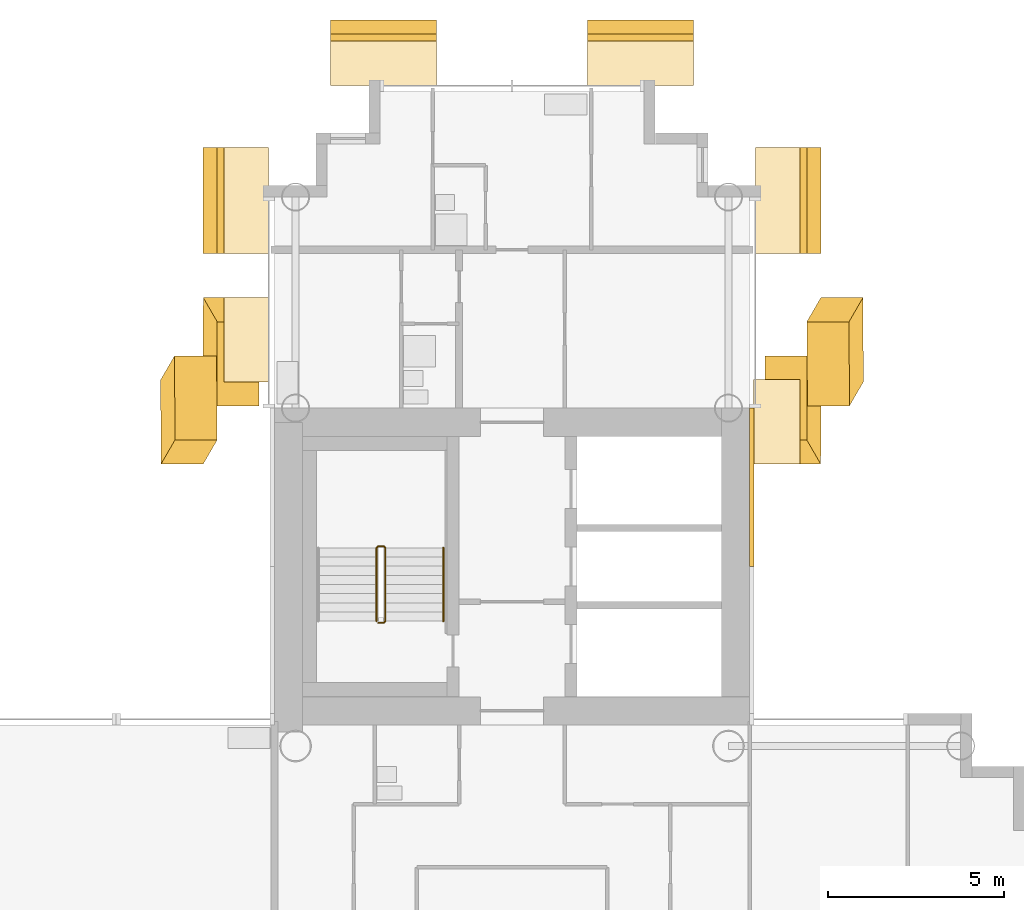
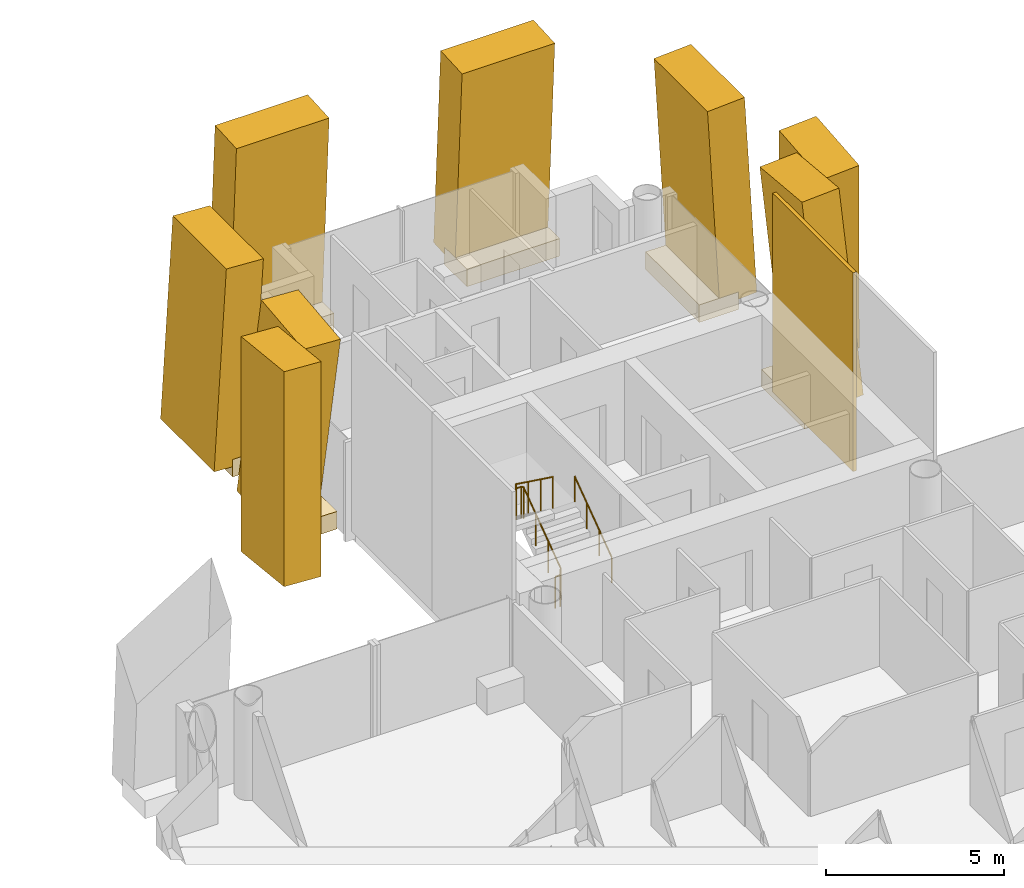
# One storey, part 17 of 18: 15 coverings, 2 railings.
"""IFC4 building model written with IfcOpenShell, lengths in metres."""

from ifc_helpers import new_model, si_unit, direction, frame, origin, origin_2d, place, context, subcontext, project, spatial, rectangle, circle, extrude, material, layer, layer_set, material_profile, profile_set, type_object, element, save


model = new_model("IFC4")

# Units and contexts
model_context = context("Model", 3, precision=1e-05, world=origin(), true_north=direction((0.0, 1.0)))
body_context = subcontext(model_context, "Body", "Model", "MODEL_VIEW")
ifc_project = project(units=[si_unit("LENGTHUNIT", "METRE"), si_unit("AREAUNIT", "SQUARE_METRE"), si_unit("VOLUMEUNIT", "CUBIC_METRE"), si_unit("PLANEANGLEUNIT", "RADIAN"), si_unit("MASSUNIT", "GRAM", prefix="KILO")], contexts=[model_context])

# Site, building, storey
site_placement = place(None, origin())
site = spatial("IfcSite", under=ifc_project, at=site_placement, CompositionType="ELEMENT")
building_placement = place(site_placement, origin())
building = spatial("IfcBuilding", under=site, at=building_placement, Name="Ipe Terrace Towers", CompositionType="ELEMENT")
storey_placement = place(building_placement, frame((0.0, 0.0, 143.89990234375)))
storey = spatial("IfcBuildingStorey", under=building, at=storey_placement, Name="L39", CompositionType="ELEMENT", Elevation=143.89990234375)

# Coverings
ifc_material_1 = material(Name="Concrete C50/60 precast, buff finish", Category="concrete")
ifc_layer = layer(ifc_material_1, 0.1201171875)
ifc_layer_set = layer_set([ifc_layer], Name="STONE CORE CLADDING 120")
covering_type_1 = type_object("IfcCoveringType", Name="STONE CORE CLADDING 120", PredefinedType="CLADDING", material=ifc_layer_set)
covering_1_placement = place(storey_placement, frame((42.81005859375, 13.5, 0.0), z_axis=(0.0, 0.0, 1.0), x_axis=(0.0, 1.0, 0.0)))
element("IfcCovering", 1, at=covering_1_placement, inside=storey, type_object=covering_type_1, Name="stone core cladding", PredefinedType="CLADDING", context=body_context, shape_type="SweptSolid", body=[
    extrude(rectangle(XDim=4.5009765625, YDim=0.1201171875, at=origin_2d()), origin(), (0.0, 0.0, 1.0), 6.800048828125),
])
ifc_material_2 = material(Name="Concrete C50/60 precast, buff finish", Category="concrete")
ifc_material_profile_1 = material_profile(ifc_material_2, rectangle(XDim=2.39990234375, YDim=1.199951171875, at=origin_2d()), Name="STONE FIN 2400 x 1200")
ifc_profile_set_1 = profile_set([ifc_material_profile_1], Name="Concrete C50/60 precast, buff finish")
covering_type_2 = type_object("IfcCoveringType", Name="STONE FIN 2400 x 1200", PredefinedType="USERDEFINED", material=ifc_profile_set_1)
for number, where, z_axis, x_axis, name in (
    (2, (26.62109375, 15.35693359375, 0.0), (0.057845651237, 0.099785531542, 0.993326093651), (0.005801112599, -0.99500896865, 0.099616762634), "stone fin"),
    (3, (27.821044921875, 17.693115234375, 0.0), (0.057845651237, -0.099785531542, 0.993326093651), (-0.005801112599, -0.99500896865, -0.099616762634), "stone fin"),
    (4, (44.178955078125, 15.35693359375, 0.0), (-0.057845651237, 0.099785531542, 0.993326093651), (0.005801112599, 0.99500896865, -0.099616762634), "stone fin"),
    (5, (45.37890625, 17.693115234375, 0.0), (-0.057845651237, -0.099785531542, 0.993326093651), (-0.005801112599, 0.99500896865, 0.099616762634), "stone fin"),
):
    element("IfcCovering", number, at=place(storey_placement, frame(where, z_axis=z_axis, x_axis=x_axis)), inside=storey, type_object=covering_type_2, Name=name, ObjectType="FIN", PredefinedType="USERDEFINED", context=body_context, shape_type="SweptSolid", body=[
        extrude(rectangle(XDim=2.39990234375, YDim=1.199951171875, at=origin_2d()), origin(), (0.0, 0.0, 1.0), 6.845703125),
    ])
ifc_material_3 = material(Name="Concrete C50/60 precast, buff finish", Category="concrete")
ifc_material_profile_2 = material_profile(ifc_material_3, rectangle(XDim=3.0, YDim=1.199951171875, at=origin_2d()), Name="STONE FIN CORNER 3000 x 1200")
ifc_profile_set_2 = profile_set([ifc_material_profile_2], Name="Concrete C50/60 precast, buff finish")
covering_type_3 = type_object("IfcCoveringType", Name="STONE FIN CORNER 3000 x 1200", PredefinedType="USERDEFINED", material=ifc_profile_set_2)
for number, where, z_axis, x_axis, name in (
    (6, (27.821044921875, 21.64990234375, 0.0), (0.058135808882, 0.0, 0.998308683587), (0.0, -1.0, 0.0), "stone fin"),
    (7, (32.35009765625, 26.178955078125, 0.0), (0.0, -0.058135808882, 0.998308683587), (-1.0, 0.0, 0.0), "stone fin"),
    (8, (39.64990234375, 26.178955078125, 0.0), (0.0, -0.058135808882, 0.998308683587), (-1.0, 0.0, 0.0), "stone fin"),
    (9, (44.178955078125, 21.64990234375, 0.0), (-0.058135808882, 0.0, 0.998308683587), (0.0, 1.0, 0.0), "stone fin"),
):
    element("IfcCovering", number, at=place(storey_placement, frame(where, z_axis=z_axis, x_axis=x_axis)), inside=storey, type_object=covering_type_3, Name=name, ObjectType="FIN", PredefinedType="USERDEFINED", context=body_context, shape_type="SweptSolid", body=[
        extrude(rectangle(XDim=3.0, YDim=1.199951171875, at=origin_2d()), origin(), (0.0, 0.0, 1.0), 6.8115234375),
    ])
ifc_material_4 = material(Name="Concrete C50/60 precast, buff finish", Category="concrete")
covering_type_4 = type_object("IfcCoveringType", Name="STONE FIN SHELF 2400 x 600", PredefinedType="CLADDING", material=ifc_material_4)
covering_2_placement = place(storey_placement, frame((28.452880859375, 17.693115234375, -0.349853515625), z_axis=(0.0, 0.0, 1.0), x_axis=(0.0, -1.0, 0.0)))
element("IfcCovering", 10, at=covering_2_placement, inside=storey, type_object=covering_type_4, Name="stone fin shelf", PredefinedType="CLADDING", context=body_context, shape_type="SweptSolid", body=[
    extrude(rectangle(XDim=2.39990234375, YDim=1.262939453125, at=origin_2d()), origin(), (0.0, 0.0, 1.0), 0.60009765625),
])
covering_3_placement = place(storey_placement, frame((43.52001953125, 15.35693359375, -0.349853515625), z_axis=(0.0, 0.0, 1.0), x_axis=(0.0, 1.0, 0.0)))
element("IfcCovering", 11, at=covering_3_placement, inside=storey, type_object=covering_type_4, Name="stone fin shelf", PredefinedType="CLADDING", context=body_context, shape_type="SweptSolid", body=[
    extrude(rectangle(XDim=2.39990234375, YDim=1.319091796875, at=origin_2d()), origin(), (0.0, 0.0, 1.0), 0.60009765625),
])
ifc_material_5 = material(Name="Concrete C50/60 precast, buff finish", Category="concrete")
covering_type_5 = type_object("IfcCoveringType", Name="STONE FIN SHELF 3000 x 600", PredefinedType="CLADDING", material=ifc_material_5)
for number, where, z_axis, x_axis, name in (
    (12, (28.452880859375, 21.64990234375, -0.349853515625), (0.0, 0.0, 1.0), (0.0, -1.0, 0.0), "stone fin shelf"),
    (13, (32.35009765625, 25.547119140625, -0.349853515625), (0.0, 0.0, 1.0), (-1.0, 0.0, 0.0), "stone fin shelf"),
    (14, (39.64990234375, 25.547119140625, -0.349853515625), (0.0, 0.0, 1.0), (-1.0, 0.0, 0.0), "stone fin shelf"),
    (15, (43.547119140625, 21.64990234375, -0.349853515625), (0.0, 0.0, 1.0), (0.0, 1.0, 0.0), "stone fin shelf"),
):
    element("IfcCovering", number, at=place(storey_placement, frame(where, z_axis=z_axis, x_axis=x_axis)), inside=storey, type_object=covering_type_5, Name=name, PredefinedType="CLADDING", context=body_context, shape_type="SweptSolid", body=[
        extrude(rectangle(XDim=3.0, YDim=1.262939453125, at=origin_2d()), origin(), (0.0, 0.0, 1.0), 0.60009765625),
    ])

# Railings
ifc_material_6 = material(Name="Steel S355", Category="steel")
railing_type_1 = type_object("IfcRailingType", Name="Stair guard 1100", PredefinedType="GUARDRAIL", material=ifc_material_6)
railing_1_placement = place(storey_placement, frame((32.199951171875, 9.64990234375, 0.0)))
element("IfcRailing", 16, at=railing_1_placement, inside=storey, type_object=railing_type_1, Name="L39 T2-ST1 stair guard 1", PredefinedType="GUARDRAIL", context=body_context, shape_type="SweptSolid", body=[
    extrude(circle(Radius=0.02392578125, at=origin_2d()), frame((0.0, 0.0, 1.076171875), z_axis=(1.0, 0.0, 0.0), x_axis=(0.0, 1.0, 0.0)), (0.0, 0.0, 1.0), 0.150146484375),
    extrude(circle(Radius=0.02392578125, at=origin_2d()), frame((0.150146484375, 0.0, 1.076171875), z_axis=(0.246893586699, 0.248103849378, 0.936743314239), x_axis=(-0.708833529934, 0.705375805398, 0.0)), (0.0, 0.0, 1.0), 0.20166015625),
    extrude(circle(Radius=0.02392578125, at=origin_2d()), frame((0.199951171875, 0.050048828125, 1.26513671875), z_axis=(0.0, 0.809023421508, 0.587776406001), x_axis=(-1.0, 0.0, 0.0)), (0.0, 0.0, 1.0), 2.571044921875),
    extrude(circle(Radius=0.02392578125, at=origin_2d()), frame((0.199951171875, 2.130126953125, 2.7763671875), z_axis=(-0.705375805398, 0.708833529934, 0.0), x_axis=(-0.708833529934, -0.705375805398, 0.0)), (0.0, 0.0, 1.0), 0.070556640625),
    extrude(circle(Radius=0.02392578125, at=origin_2d()), frame((0.150146484375, 2.18017578125, 2.7763671875), z_axis=(-1.0, 0.0, 0.0), x_axis=(0.0, -1.0, 0.0)), (0.0, 0.0, 1.0), 0.150146484375),
    extrude(circle(Radius=0.02392578125, at=origin_2d()), frame((0.0, 2.18017578125, 2.7763671875), z_axis=(-0.248310886586, -0.248310886586, 0.936313733321), x_axis=(0.707106781187, -0.707106781187, 0.0)), (0.0, 0.0, 1.0), 0.20166015625),
    extrude(circle(Radius=0.02392578125, at=origin_2d()), frame((-0.050048828125, 2.130126953125, 2.96484375), z_axis=(0.0, -0.809023421508, 0.587776406001), x_axis=(1.0, 0.0, 0.0)), (0.0, 0.0, 1.0), 2.571044921875),
    extrude(circle(Radius=0.02099609375, at=origin_2d()), origin(), (0.0, 0.0, 1.0), 1.052001953125),
    extrude(circle(Radius=0.02099609375, at=origin_2d()), frame((0.150146484375, 0.0, 0.0)), (0.0, 0.0, 1.0), 1.052001953125),
    extrude(circle(Radius=0.02099609375, at=origin_2d()), frame((0.199951171875, 0.050048828125, 0.18896484375)), (0.0, 0.0, 1.0), 1.052001953125),
    extrude(circle(Radius=0.02099609375, at=origin_2d()), frame((0.199951171875, 0.743408203125, 0.692626953125)), (0.0, 0.0, 1.0), 1.052001953125),
    extrude(circle(Radius=0.02099609375, at=origin_2d()), frame((0.199951171875, 1.436767578125, 1.196533203125)), (0.0, 0.0, 1.0), 1.052001953125),
    extrude(circle(Radius=0.02099609375, at=origin_2d()), frame((0.199951171875, 2.130126953125, 1.7001953125)), (0.0, 0.0, 1.0), 1.052001953125),
    extrude(circle(Radius=0.02099609375, at=origin_2d()), frame((0.150146484375, 2.18017578125, 1.7001953125)), (0.0, 0.0, 1.0), 1.052001953125),
    extrude(circle(Radius=0.02099609375, at=origin_2d()), frame((0.0, 2.18017578125, 1.7001953125)), (0.0, 0.0, 1.0), 1.052001953125),
    extrude(circle(Radius=0.02099609375, at=origin_2d()), frame((-0.050048828125, 2.130126953125, 1.888916015625)), (0.0, 0.0, 1.0), 1.052001953125),
    extrude(circle(Radius=0.02099609375, at=origin_2d()), frame((-0.050048828125, 1.436767578125, 2.392578125)), (0.0, 0.0, 1.0), 1.052001953125),
    extrude(circle(Radius=0.02099609375, at=origin_2d()), frame((-0.050048828125, 0.743408203125, 2.896484375)), (0.0, 0.0, 1.0), 1.052001953125),
    extrude(circle(Radius=0.02099609375, at=origin_2d()), frame((-0.050048828125, 0.050048828125, 3.400146484375)), (0.0, 0.0, 1.0), 1.052001953125),
])
ifc_material_7 = material(Name="Stainless steel grade 304", Category="steel")
railing_type_2 = type_object("IfcRailingType", Name="Stair handrail 900", PredefinedType="HANDRAIL", material=ifc_material_7)
railing_2_placement = place(storey_placement, frame((34.050048828125, 9.699951171875, 0.18896484375)))
element("IfcRailing", 17, at=railing_2_placement, inside=storey, type_object=railing_type_2, Name="L39 T2-ST1 stair handrail 1", PredefinedType="HANDRAIL", context=body_context, shape_type="SweptSolid", body=[
    extrude(circle(Radius=0.02392578125, at=origin_2d()), frame((0.0, 0.0, 0.8759765625), z_axis=(0.0, 0.809023421508, 0.587776406001), x_axis=(-1.0, 0.0, 0.0)), (0.0, 0.0, 1.0), 2.571044921875),
    extrude(circle(Radius=0.02099609375, at=origin_2d()), origin(), (0.0, 0.0, 1.0), 0.851806640625),
    extrude(circle(Radius=0.02099609375, at=origin_2d()), frame((0.0, 0.693359375, 0.503662109375)), (0.0, 0.0, 1.0), 0.851806640625),
    extrude(circle(Radius=0.02099609375, at=origin_2d()), frame((0.0, 1.38671875, 1.007568359375)), (0.0, 0.0, 1.0), 0.851806640625),
    extrude(circle(Radius=0.02099609375, at=origin_2d()), frame((0.0, 2.080078125, 1.51123046875)), (0.0, 0.0, 1.0), 0.851806640625),
])

save(model, "model.ifc")
